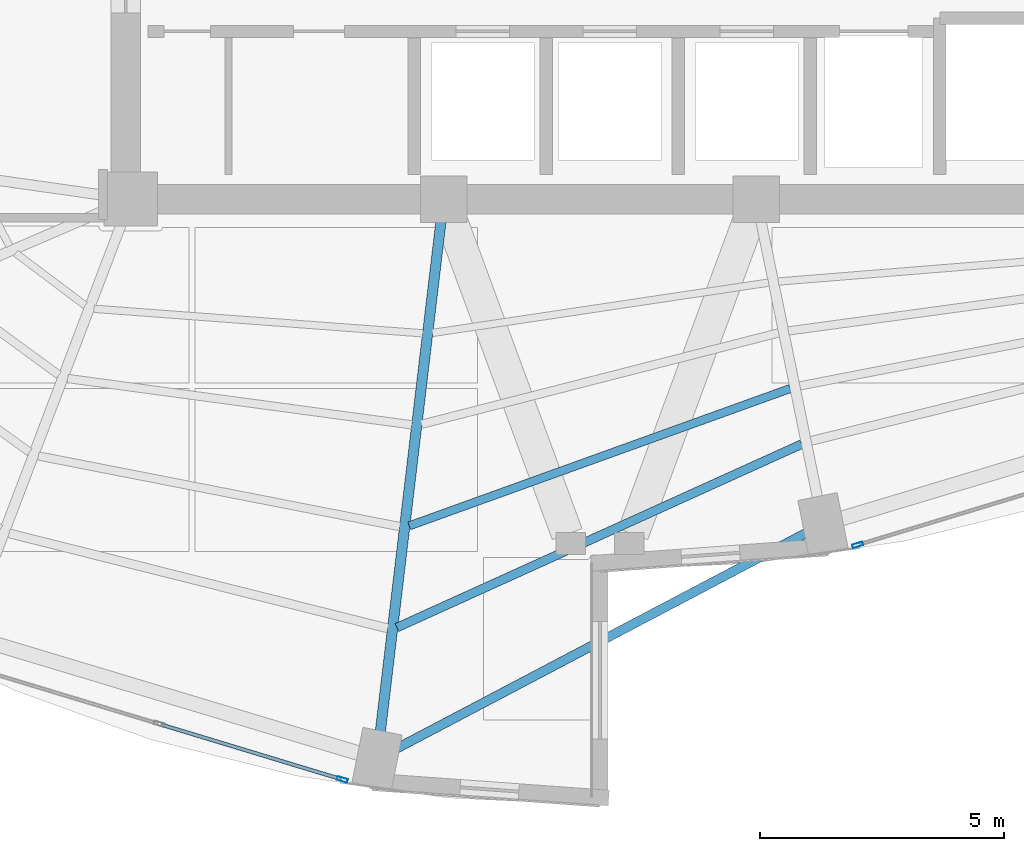
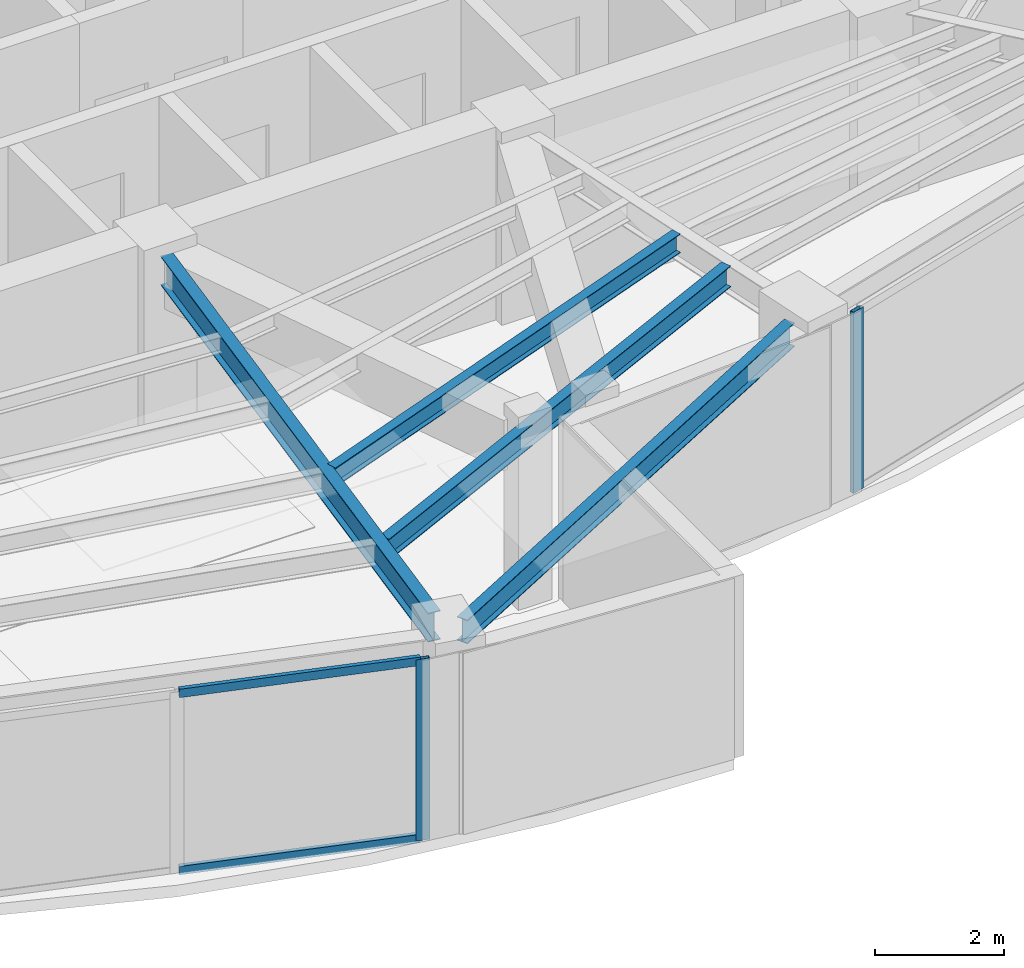
# One storey, part 4 of 20: 4 beams, 4 members, 2 elements without a shape of their own.
"""IFC4 building model written with IfcOpenShell, lengths in metres."""

from ifc_helpers import new_model, si_unit, direction, frame, origin, origin_2d, place, context, subcontext, project, spatial, hollow_rectangle, i_section, extrude, material, layer, layer_set, material_profile, profile_set, type_object, element, aggregate, save


model = new_model("IFC4")

# Units and contexts
model_context = context("Model", 3, precision=1e-05, world=origin(), true_north=direction((0.0, 1.0)))
body_context = subcontext(model_context, "Body", "Model", "MODEL_VIEW")
ifc_project = project(units=[si_unit("LENGTHUNIT", "METRE"), si_unit("AREAUNIT", "SQUARE_METRE"), si_unit("VOLUMEUNIT", "CUBIC_METRE"), si_unit("PLANEANGLEUNIT", "RADIAN"), si_unit("MASSUNIT", "GRAM", prefix="KILO")], contexts=[model_context])

# Site, building, storey
site_placement = place(None, origin())
site = spatial("IfcSite", under=ifc_project, at=site_placement, CompositionType="ELEMENT")
building_placement = place(site_placement, origin())
building = spatial("IfcBuilding", under=site, at=building_placement, Name="Lazwardi Medical Tower", CompositionType="ELEMENT")
storey_placement = place(building_placement, frame((0.0, 0.0, 160.176025390625)))
storey = spatial("IfcBuildingStorey", under=building, at=storey_placement, Name="L41", CompositionType="ELEMENT", Elevation=160.176025390625)

# Beams
ifc_material_1 = material(Name="Steel S355", Category="steel")
ifc_material_profile_1 = material_profile(ifc_material_1, i_section(OverallWidth=0.2099609375, OverallDepth=0.550048828125, WebThickness=0.010986328125, FlangeThickness=0.01708984375, at=origin_2d()), Name="IPE 550")
ifc_profile_set_1 = profile_set([ifc_material_profile_1], Name="Steel S355")
beam_type_1 = type_object("IfcBeamType", Name="BM-RG-W2", PredefinedType="BEAM", material=ifc_profile_set_1)
beam_1_placement = place(storey_placement, frame((31.505859375, 9.50732421875, 3.153076171875), z_axis=(0.117968004211, 0.993017396616, 0.0), x_axis=(-0.993017396616, 0.117968004211, 0.0)))
element("IfcBeam", 1, at=beam_1_placement, inside=storey, type_object=beam_type_1, Name="Radial girder RG-03 R16 L41", PredefinedType="BEAM", context=body_context, shape_type="SweptSolid", body=[
    extrude(i_section(OverallWidth=0.2099609375, OverallDepth=0.550048828125, WebThickness=0.010986328125, FlangeThickness=0.01708984375, at=origin_2d()), origin(), (0.0, 0.0, 1.0), 10.50927734375),
])
ifc_material_profile_2 = material_profile(ifc_material_1, i_section(OverallWidth=0.179931640625, OverallDepth=0.39990234375, WebThickness=0.008544921875, FlangeThickness=0.013427734375, at=origin_2d()), Name="IPE 400")
ifc_profile_set_2 = profile_set([ifc_material_profile_2], Name="Steel S355")
beam_type_2 = type_object("IfcBeamType", Name="BM-SJ-01", PredefinedType="JOIST", material=ifc_profile_set_2)
beam_2_placement = place(storey_placement, frame((31.844970703125, 11.6357421875, 3.22802734375), z_axis=(0.910834000674, 0.412772846995, 0.0), x_axis=(-0.412772846995, 0.910834000674, 0.0)))
element("IfcBeam", 2, at=beam_2_placement, inside=storey, type_object=beam_type_2, Name="Secondary joist SJ-01 R1 B16 L41", PredefinedType="JOIST", context=body_context, shape_type="SweptSolid", body=[
    extrude(i_section(OverallWidth=0.179931640625, OverallDepth=0.39990234375, WebThickness=0.008544921875, FlangeThickness=0.013427734375, at=origin_2d()), origin(), (0.0, 0.0, 1.0), 9.09130859375),
])
ifc_material_profile_3 = material_profile(ifc_material_1, i_section(OverallWidth=0.169921875, OverallDepth=0.360107421875, WebThickness=0.008056640625, FlangeThickness=0.0126953125, at=origin_2d()), Name="IPE 360")
ifc_profile_set_3 = profile_set([ifc_material_profile_3], Name="Steel S355")
beam_type_3 = type_object("IfcBeamType", Name="BM-SJ-02", PredefinedType="JOIST", material=ifc_profile_set_3)
beam_3_placement = place(storey_placement, frame((32.095947265625, 13.715576171875, 3.248046875), z_axis=(0.940747993319, 0.339106492221, 0.0), x_axis=(-0.339106492221, 0.940747993319, 0.0)))
element("IfcBeam", 3, at=beam_3_placement, inside=storey, type_object=beam_type_3, Name="Secondary joist SJ-02 R2 B16 L41", PredefinedType="JOIST", context=body_context, shape_type="SweptSolid", body=[
    extrude(i_section(OverallWidth=0.169921875, OverallDepth=0.360107421875, WebThickness=0.008056640625, FlangeThickness=0.0126953125, at=origin_2d()), origin(), (0.0, 0.0, 1.0), 8.28662109375),
])
ifc_material_profile_4 = material_profile(ifc_material_1, i_section(OverallWidth=0.18994140625, OverallDepth=0.449951171875, WebThickness=0.009521484375, FlangeThickness=0.0146484375, at=origin_2d()), Name="IPE 450")
ifc_profile_set_4 = profile_set([ifc_material_profile_4], Name="Steel S355")
beam_type_4 = type_object("IfcBeamType", Name="BM-SP-01", PredefinedType="SPANDREL", material=ifc_profile_set_4)
beam_4_placement = place(storey_placement, frame((31.793701171875, 9.137451171875, 3.202880859375), z_axis=(0.884926578414, 0.465730556026, 0.0), x_axis=(-0.465730556026, 0.884926578414, 0.0)))
element("IfcBeam", 4, at=beam_4_placement, inside=storey, type_object=beam_type_4, Name="Spandrel beam SP-01 B16 L41", PredefinedType="SPANDREL", context=body_context, shape_type="SweptSolid", body=[
    extrude(i_section(OverallWidth=0.18994140625, OverallDepth=0.449951171875, WebThickness=0.009521484375, FlangeThickness=0.0146484375, at=origin_2d()), origin(), (0.0, 0.0, 1.0), 9.506591796875),
])

# Curtain wall, member
ifc_material_2 = material(Name="Anodised bronze aluminium and solar control glazing", Category="aluminium")
ifc_layer = layer(ifc_material_2, 0.195068359375)
ifc_layer_set = layer_set([ifc_layer], Name="Anodised bronze aluminium and solar control glazing")
curtain_wall_type = type_object("IfcCurtainWallType", Name="CW-SYS-03", PredefinedType="NOTDEFINED", material=ifc_layer_set)
curtain_wall_1_placement = place(storey_placement, origin())
curtain_wall_1 = element("IfcCurtainWall", 5, at=curtain_wall_1_placement, inside=storey, type_object=curtain_wall_type, Name="L41 Unitised bronze curtain wall CW-03", PredefinedType="NOTDEFINED")
ifc_material_3 = material(Name="Anodised bronze aluminium", Category="aluminium")
ifc_material_profile_5 = material_profile(ifc_material_3, hollow_rectangle(XDim=0.074951171875, YDim=0.219970703125, WallThickness=0.00390625, at=origin_2d()), Name="ALU-MULLION 220x75x4")
ifc_profile_set_5 = profile_set([ifc_material_profile_5], Name="Anodised bronze aluminium")
member_type_1 = type_object("IfcMemberType", Name="CW-MUL-01", PredefinedType="MULLION", material=ifc_profile_set_5)
member_1_placement = place(storey_placement, frame((41.27197265625, 13.325927734375, 0.0), z_axis=(0.0, 0.0, 1.0), x_axis=(-0.290280785441, 0.956941516292, 0.0)))
member_1 = element("IfcMember", 6, at=member_1_placement, type_object=member_type_1, Name="CW-03 mullion 1", PredefinedType="MULLION", context=body_context, shape_type="SweptSolid", body=[
    extrude(hollow_rectangle(XDim=0.074951171875, YDim=0.219970703125, WallThickness=0.00390625, at=origin_2d()), origin(), (0.0, 0.0, 1.0), 3.427978515625),
])
aggregate(curtain_wall_1, [member_1])

# Curtain wall, members
curtain_wall_2_placement = place(storey_placement, origin())
curtain_wall_2 = element("IfcCurtainWall", 7, at=curtain_wall_2_placement, inside=storey, type_object=curtain_wall_type, Name="L41 Unitised bronze curtain wall CW-03", PredefinedType="NOTDEFINED")
member_2_placement = place(storey_placement, frame((30.72802734375, 8.52587890625, 0.0), z_axis=(0.0, 0.0, 1.0), x_axis=(0.290280785441, 0.956941516292, 0.0)))
member_2 = element("IfcMember", 8, at=member_2_placement, type_object=member_type_1, Name="CW-03 mullion 3", PredefinedType="MULLION", context=body_context, shape_type="SweptSolid", body=[
    extrude(hollow_rectangle(XDim=0.074951171875, YDim=0.219970703125, WallThickness=0.00390625, at=origin_2d()), origin(), (0.0, 0.0, 1.0), 3.427978515625),
])
ifc_material_profile_6 = material_profile(ifc_material_3, hollow_rectangle(XDim=0.074951171875, YDim=0.159912109375, WallThickness=0.00390625, at=origin_2d()), Name="ALU-TRANSOM 160x75x4")
ifc_profile_set_6 = profile_set([ifc_material_profile_6], Name="Anodised bronze aluminium")
member_type_2 = type_object("IfcMemberType", Name="CW-TRN-01", PredefinedType="USERDEFINED", material=ifc_profile_set_6)
member_3_placement = place(storey_placement, frame((27.020751953125, 9.650390625, 0.037353515625), z_axis=(0.95695319357, -0.290242287264, 0.0), x_axis=(0.290242287264, 0.95695319357, 0.0)))
member_3 = element("IfcMember", 9, at=member_3_placement, type_object=member_type_2, Name="CW-03 transom 2.1", ObjectType="TRANSOM", PredefinedType="USERDEFINED", context=body_context, shape_type="SweptSolid", body=[
    extrude(hollow_rectangle(XDim=0.074951171875, YDim=0.159912109375, WallThickness=0.00390625, at=origin_2d()), origin(), (0.0, 0.0, 1.0), 3.83642578125),
])
member_4_placement = place(storey_placement, frame((27.020751953125, 9.650390625, 3.390380859375), z_axis=(0.95695319357, -0.290242287264, 0.0), x_axis=(0.290242287264, 0.95695319357, 0.0)))
member_4 = element("IfcMember", 10, at=member_4_placement, type_object=member_type_2, Name="CW-03 transom 2.2", ObjectType="TRANSOM", PredefinedType="USERDEFINED", context=body_context, shape_type="SweptSolid", body=[
    extrude(hollow_rectangle(XDim=0.074951171875, YDim=0.159912109375, WallThickness=0.00390625, at=origin_2d()), origin(), (0.0, 0.0, 1.0), 3.83642578125),
])
aggregate(curtain_wall_2, [member_2, member_3, member_4])

save(model, "model.ifc")
